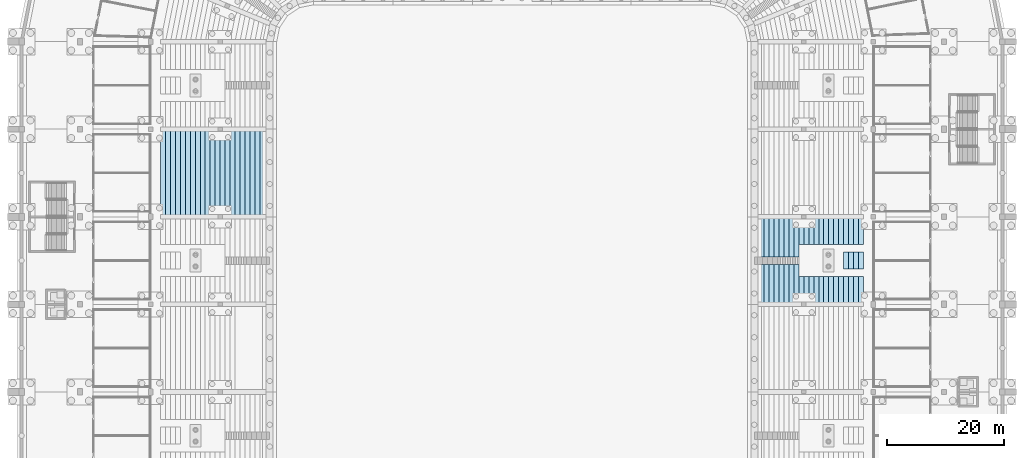
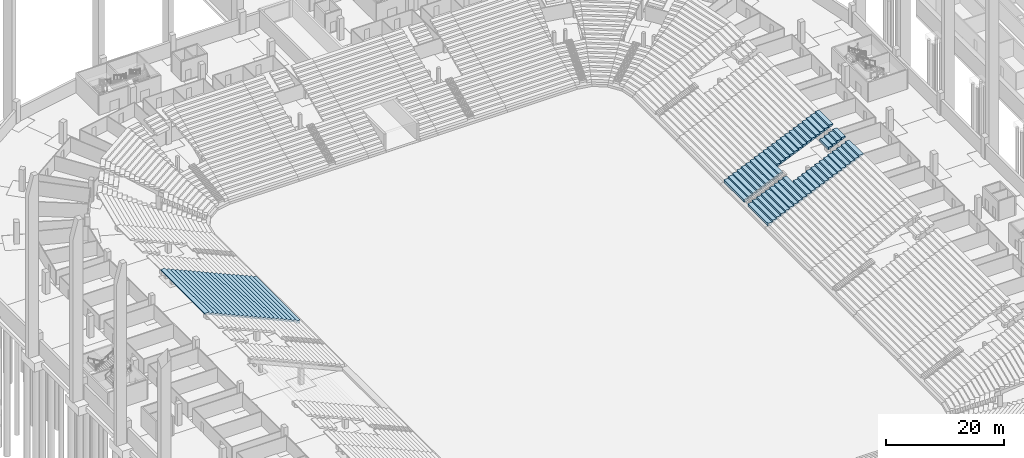
# One storey, part 52 of 115: 2 slabs.
"""IFC4 building model written with IfcOpenShell, lengths in metres."""

from ifc_helpers import new_model, si_unit, direction, frame, origin, place, context, subcontext, project, spatial, faceted_brep, material, layer, layer_set, type_object, element, save


model = new_model("IFC4")

# Units and contexts
model_context = context("Model", 3, precision=1e-05, world=origin(), true_north=direction((0.0, 1.0)))
body_context = subcontext(model_context, "Body", "Model", "MODEL_VIEW")
ifc_project = project(units=[si_unit("LENGTHUNIT", "METRE"), si_unit("AREAUNIT", "SQUARE_METRE"), si_unit("VOLUMEUNIT", "CUBIC_METRE"), si_unit("PLANEANGLEUNIT", "RADIAN"), si_unit("MASSUNIT", "GRAM", prefix="KILO")], contexts=[model_context])

# Site, building, storey
site_placement = place(None, origin())
site = spatial("IfcSite", under=ifc_project, at=site_placement, CompositionType="ELEMENT")
building_placement = place(site_placement, origin())
building = spatial("IfcBuilding", under=site, at=building_placement, Name="Ogive Plaza Stadium", CompositionType="ELEMENT")
storey_placement = place(building_placement, frame((0.0, 0.0, -4.5)))
storey = spatial("IfcBuildingStorey", under=building, at=storey_placement, Name="B1", CompositionType="ELEMENT", Elevation=-4.5)

# Slabs
ifc_material = material(Name="Concrete C45/55 precast", Category="concrete")
ifc_layer = layer(ifc_material, 0.574951171875)
ifc_layer_set = layer_set([ifc_layer], Name="Concrete C45/55 precast")
slab_type = type_object("IfcSlabType", Name="Seating tier LT 575", PredefinedType="USERDEFINED", material=ifc_layer_set)
slab_1_placement = place(storey_placement, origin())
element("IfcSlab", 1, at=slab_1_placement, inside=storey, type_object=slab_type, Name="Stand LT B03", ObjectType="SEATING TIER", PredefinedType="USERDEFINED", context=body_context, shape_type="Brep", body=[
    faceted_brep([(41.5, 15.64990234375, 1.125), (42.10009765625, 15.64990234375, 1.125), (42.10009765625, 22.5, 1.125), (41.5, 22.5, 1.125), (41.5, 7.5, 1.125), (42.10009765625, 7.5, 1.125), (42.10009765625, 14.35009765625, 1.125), (41.5, 14.35009765625, 1.125), (42.35009765625, 15.64990234375, 1.125), (42.35009765625, 22.5, 1.125), (42.35009765625, 7.5, 1.125), (42.35009765625, 14.35009765625, 1.125), (42.10009765625, 15.64990234375, 0.550048828125), (41.5, 22.5, 0.550048828125), (42.10009765625, 22.5, 0.550048828125), (41.5, 15.64990234375, 0.550048828125), (42.10009765625, 7.5, 0.550048828125), (41.5, 14.35009765625, 0.550048828125), (42.10009765625, 14.35009765625, 0.550048828125), (41.5, 7.5, 0.550048828125), (42.35009765625, 22.5, 0.925048828125), (42.35009765625, 22.5, 1.5), (43.199951171875, 22.5, 1.5), (43.199951171875, 22.5, 1.300048828125), (43.199951171875, 22.5, 1.875), (44.050048828125, 22.5, 1.875), (44.050048828125, 22.5, 1.675048828125), (44.050048828125, 22.5, 2.25), (44.89990234375, 22.5, 2.25), (44.89990234375, 22.5, 2.050048828125), (44.89990234375, 22.5, 2.625), (45.75, 22.5, 2.625), (45.75, 22.5, 2.425048828125), (45.75, 22.5, 3.0), (46.60009765625, 22.5, 3.0), (46.60009765625, 22.5, 2.800048828125), (46.60009765625, 22.5, 3.375), (47.449951171875, 22.5, 3.375), (47.449951171875, 22.5, 3.175048828125), (47.449951171875, 22.5, 3.75), (48.300048828125, 22.5, 3.75), (48.300048828125, 22.5, 3.550048828125), (48.300048828125, 22.5, 4.125), (49.14990234375, 22.5, 4.125), (49.14990234375, 22.5, 3.925048828125), (49.14990234375, 22.5, 4.5), (50.0, 22.5, 4.5), (50.0, 22.5, 4.300048828125), (50.0, 22.5, 4.875), (50.85009765625, 22.5, 4.875), (50.85009765625, 22.5, 4.675048828125), (50.85009765625, 22.5, 5.25), (51.699951171875, 22.5, 5.25), (51.699951171875, 22.5, 5.050048828125), (51.699951171875, 22.5, 5.625), (52.550048828125, 22.5, 5.625), (52.550048828125, 22.5, 5.425048828125), (52.550048828125, 22.5, 6.0), (53.39990234375, 22.5, 6.0), (53.39990234375, 22.5, 5.800048828125), (53.39990234375, 22.5, 6.375), (54.25, 22.5, 6.375), (54.25, 22.5, 6.175048828125), (54.25, 22.5, 6.75), (55.10009765625, 22.5, 6.75), (55.10009765625, 22.5, 6.550048828125), (55.10009765625, 22.5, 7.125), (55.949951171875, 22.5, 7.125), (55.949951171875, 22.5, 6.925048828125), (55.949951171875, 22.5, 7.5), (56.800048828125, 22.5, 7.5), (56.800048828125, 22.5, 7.300048828125), (56.800048828125, 22.5, 7.875), (57.64990234375, 22.5, 7.875), (57.64990234375, 22.5, 7.675048828125), (57.64990234375, 22.5, 8.25), (58.5, 22.5, 8.25), (58.5, 22.5, 8.050048828125), (58.5, 22.5, 8.625), (59.35009765625, 22.5, 8.625), (59.35009765625, 22.5, 8.425048828125), (59.35009765625, 22.5, 9.0), (60.199951171875, 22.5, 9.0), (60.199951171875, 22.5, 8.800048828125), (42.35009765625, 15.64990234375, 0.925048828125), (43.199951171875, 15.64990234375, 1.5), (42.35009765625, 15.64990234375, 1.5), (43.199951171875, 15.64990234375, 1.300048828125), (44.050048828125, 15.64990234375, 1.875), (43.199951171875, 15.64990234375, 1.875), (44.050048828125, 15.64990234375, 1.675048828125), (44.89990234375, 15.64990234375, 2.25), (44.050048828125, 15.64990234375, 2.25), (44.89990234375, 15.64990234375, 2.050048828125), (45.75, 15.64990234375, 2.625), (44.89990234375, 15.64990234375, 2.625), (45.75, 15.64990234375, 2.425048828125), (46.60009765625, 15.64990234375, 3.0), (45.75, 15.64990234375, 3.0), (46.60009765625, 15.64990234375, 2.800048828125), (47.449951171875, 15.64990234375, 3.375), (46.60009765625, 15.64990234375, 3.375), (47.449951171875, 15.64990234375, 3.175048828125), (48.300048828125, 15.64990234375, 3.75), (47.449951171875, 15.64990234375, 3.75), (48.300048828125, 15.64990234375, 3.550048828125), (49.14990234375, 15.64990234375, 4.125), (48.300048828125, 15.64990234375, 4.125), (49.14990234375, 15.64990234375, 3.925048828125), (42.35009765625, 14.35009765625, 0.925048828125), (42.35009765625, 14.35009765625, 1.5), (43.199951171875, 14.35009765625, 1.5), (43.199951171875, 14.35009765625, 1.300048828125), (43.199951171875, 14.35009765625, 1.875), (44.050048828125, 14.35009765625, 1.875), (44.050048828125, 14.35009765625, 1.675048828125), (44.050048828125, 14.35009765625, 2.25), (44.89990234375, 14.35009765625, 2.25), (44.89990234375, 14.35009765625, 2.050048828125), (44.89990234375, 14.35009765625, 2.625), (45.75, 14.35009765625, 2.625), (45.75, 14.35009765625, 2.425048828125), (45.75, 14.35009765625, 3.0), (46.60009765625, 14.35009765625, 3.0), (46.60009765625, 14.35009765625, 2.800048828125), (46.60009765625, 14.35009765625, 3.375), (47.449951171875, 14.35009765625, 3.375), (47.449951171875, 14.35009765625, 3.175048828125), (47.449951171875, 14.35009765625, 3.75), (48.300048828125, 14.35009765625, 3.75), (48.300048828125, 14.35009765625, 3.550048828125), (48.300048828125, 14.35009765625, 4.125), (49.14990234375, 14.35009765625, 4.125), (49.14990234375, 14.35009765625, 3.925048828125), (42.35009765625, 7.5, 0.925048828125), (43.199951171875, 7.5, 1.5), (42.35009765625, 7.5, 1.5), (43.199951171875, 7.5, 1.300048828125), (44.050048828125, 7.5, 1.875), (43.199951171875, 7.5, 1.875), (44.050048828125, 7.5, 1.675048828125), (44.89990234375, 7.5, 2.25), (44.050048828125, 7.5, 2.25), (44.89990234375, 7.5, 2.050048828125), (45.75, 7.5, 2.625), (44.89990234375, 7.5, 2.625), (45.75, 7.5, 2.425048828125), (46.60009765625, 7.5, 3.0), (45.75, 7.5, 3.0), (46.60009765625, 7.5, 2.800048828125), (47.449951171875, 7.5, 3.375), (46.60009765625, 7.5, 3.375), (47.449951171875, 7.5, 3.175048828125), (48.300048828125, 7.5, 3.75), (47.449951171875, 7.5, 3.75), (48.300048828125, 7.5, 3.550048828125), (49.14990234375, 7.5, 4.125), (48.300048828125, 7.5, 4.125), (49.14990234375, 7.5, 3.925048828125), (50.0, 7.5, 4.5), (49.14990234375, 7.5, 4.5), (50.0, 7.5, 4.300048828125), (50.85009765625, 7.5, 4.875), (50.0, 7.5, 4.875), (50.85009765625, 7.5, 4.675048828125), (51.699951171875, 7.5, 5.25), (50.85009765625, 7.5, 5.25), (51.699951171875, 7.5, 5.050048828125), (52.550048828125, 7.5, 5.625), (51.699951171875, 7.5, 5.625), (52.550048828125, 7.5, 5.425048828125), (53.39990234375, 7.5, 6.0), (52.550048828125, 7.5, 6.0), (53.39990234375, 7.5, 5.800048828125), (54.25, 7.5, 6.375), (53.39990234375, 7.5, 6.375), (54.25, 7.5, 6.175048828125), (55.10009765625, 7.5, 6.75), (54.25, 7.5, 6.75), (55.10009765625, 7.5, 6.550048828125), (55.949951171875, 7.5, 7.125), (55.10009765625, 7.5, 7.125), (55.949951171875, 7.5, 6.925048828125), (56.800048828125, 7.5, 7.5), (55.949951171875, 7.5, 7.5), (56.800048828125, 7.5, 7.300048828125), (57.64990234375, 7.5, 7.875), (56.800048828125, 7.5, 7.875), (57.64990234375, 7.5, 7.675048828125), (58.5, 7.5, 8.25), (57.64990234375, 7.5, 8.25), (58.5, 7.5, 8.050048828125), (59.35009765625, 7.5, 8.625), (58.5, 7.5, 8.625), (59.35009765625, 7.5, 8.425048828125), (60.199951171875, 7.5, 9.0), (59.35009765625, 7.5, 9.0), (60.199951171875, 7.5, 8.800048828125), (49.14990234375, 17.75, 3.925048828125), (49.14990234375, 12.25, 3.925048828125), (50.0, 17.75, 4.300048828125), (50.0, 12.25, 4.300048828125), (50.85009765625, 17.75, 4.675048828125), (50.85009765625, 12.25, 4.675048828125), (51.699951171875, 17.75, 5.050048828125), (51.699951171875, 12.25, 5.050048828125), (52.550048828125, 17.75, 5.425048828125), (52.550048828125, 12.25, 5.425048828125), (53.39990234375, 17.75, 5.800048828125), (53.39990234375, 12.25, 5.800048828125), (54.25, 17.75, 6.175048828125), (54.25, 12.25, 6.175048828125), (55.10009765625, 17.75, 6.550048828125), (55.10009765625, 12.25, 6.550048828125), (55.949951171875, 17.75, 6.925048828125), (55.949951171875, 12.25, 6.925048828125), (56.800048828125, 17.75, 7.300048828125), (56.800048828125, 12.25, 7.300048828125), (57.64990234375, 17.75, 7.675048828125), (57.64990234375, 13.550048828125, 7.675048828125), (56.800048828125, 16.449951171875, 7.300048828125), (57.64990234375, 16.449951171875, 7.675048828125), (56.800048828125, 13.550048828125, 7.300048828125), (57.64990234375, 12.25, 7.675048828125), (49.14990234375, 17.75, 4.125), (49.14990234375, 12.25, 4.125), (49.14990234375, 17.75, 4.5), (49.14990234375, 12.25, 4.5), (50.0, 17.75, 4.5), (50.0, 12.25, 4.5), (50.0, 17.75, 4.875), (50.0, 12.25, 4.875), (50.85009765625, 17.75, 4.875), (51.699951171875, 17.75, 5.25), (50.85009765625, 17.75, 5.25), (52.550048828125, 17.75, 5.625), (51.699951171875, 17.75, 5.625), (53.39990234375, 17.75, 6.0), (52.550048828125, 17.75, 6.0), (54.25, 17.75, 6.375), (53.39990234375, 17.75, 6.375), (55.10009765625, 17.75, 6.75), (54.25, 17.75, 6.75), (55.949951171875, 17.75, 7.125), (55.10009765625, 17.75, 7.125), (56.800048828125, 17.75, 7.5), (55.949951171875, 17.75, 7.5), (57.64990234375, 17.75, 7.875), (56.800048828125, 17.75, 7.875), (58.5, 17.75, 8.25), (57.64990234375, 17.75, 8.25), (58.5, 17.75, 8.050048828125), (59.35009765625, 17.75, 8.625), (58.5, 17.75, 8.625), (59.35009765625, 17.75, 8.425048828125), (60.199951171875, 17.75, 9.0), (59.35009765625, 17.75, 9.0), (60.199951171875, 17.75, 8.800048828125), (50.85009765625, 12.25, 4.875), (50.85009765625, 12.25, 5.25), (51.699951171875, 12.25, 5.25), (51.699951171875, 12.25, 5.625), (52.550048828125, 12.25, 5.625), (52.550048828125, 12.25, 6.0), (53.39990234375, 12.25, 6.0), (53.39990234375, 12.25, 6.375), (54.25, 12.25, 6.375), (54.25, 12.25, 6.75), (55.10009765625, 12.25, 6.75), (55.10009765625, 12.25, 7.125), (55.949951171875, 12.25, 7.125), (55.949951171875, 12.25, 7.5), (56.800048828125, 12.25, 7.5), (56.800048828125, 12.25, 7.875), (57.64990234375, 12.25, 7.875), (57.64990234375, 12.25, 8.25), (58.5, 12.25, 8.25), (58.5, 12.25, 8.050048828125), (58.5, 12.25, 8.625), (59.35009765625, 12.25, 8.625), (59.35009765625, 12.25, 8.425048828125), (59.35009765625, 12.25, 9.0), (60.199951171875, 12.25, 9.0), (60.199951171875, 12.25, 8.800048828125), (56.800048828125, 16.449951171875, 7.875), (56.800048828125, 13.550048828125, 7.875), (57.64990234375, 13.550048828125, 7.875), (57.64990234375, 16.449951171875, 7.875), (57.64990234375, 13.550048828125, 8.25), (57.64990234375, 16.449951171875, 8.25), (58.5, 16.449951171875, 8.25), (58.5, 16.449951171875, 8.050048828125), (58.5, 16.449951171875, 8.625), (59.35009765625, 16.449951171875, 8.625), (59.35009765625, 16.449951171875, 8.425048828125), (59.35009765625, 16.449951171875, 9.0), (60.199951171875, 16.449951171875, 9.0), (60.199951171875, 16.449951171875, 8.800048828125), (58.5, 13.550048828125, 8.25), (58.5, 13.550048828125, 8.050048828125), (59.35009765625, 13.550048828125, 8.625), (58.5, 13.550048828125, 8.625), (59.35009765625, 13.550048828125, 8.425048828125), (60.199951171875, 13.550048828125, 9.0), (59.35009765625, 13.550048828125, 9.0), (60.199951171875, 13.550048828125, 8.800048828125)], [[[0, 1, 2]], [[2, 3, 0]], [[4, 5, 6]], [[6, 7, 4]], [[1, 8, 9]], [[9, 2, 1]], [[5, 10, 11]], [[11, 6, 5]], [[12, 13, 14]], [[12, 15, 13]], [[16, 17, 18]], [[16, 19, 17]], [[2, 14, 13]], [[13, 3, 2]], [[20, 14, 2]], [[20, 2, 9]], [[9, 21, 22]], [[22, 23, 20]], [[20, 9, 22]], [[22, 24, 25]], [[25, 26, 23]], [[23, 22, 25]], [[25, 27, 28]], [[28, 29, 26]], [[26, 25, 28]], [[28, 30, 31]], [[31, 32, 29]], [[29, 28, 31]], [[31, 33, 34]], [[34, 35, 32]], [[32, 31, 34]], [[34, 36, 37]], [[37, 38, 35]], [[35, 34, 37]], [[37, 39, 40]], [[40, 41, 38]], [[38, 37, 40]], [[40, 42, 43]], [[43, 44, 41]], [[41, 40, 43]], [[43, 45, 46]], [[46, 47, 44]], [[44, 43, 46]], [[46, 48, 49]], [[49, 50, 47]], [[47, 46, 49]], [[49, 51, 52]], [[52, 53, 50]], [[50, 49, 52]], [[52, 54, 55]], [[55, 56, 53]], [[53, 52, 55]], [[55, 57, 58]], [[58, 59, 56]], [[56, 55, 58]], [[58, 60, 61]], [[61, 62, 59]], [[59, 58, 61]], [[61, 63, 64]], [[64, 65, 62]], [[62, 61, 64]], [[64, 66, 67]], [[67, 68, 65]], [[65, 64, 67]], [[67, 69, 70]], [[70, 71, 68]], [[68, 67, 70]], [[70, 72, 73]], [[73, 74, 71]], [[71, 70, 73]], [[73, 75, 76]], [[76, 77, 74]], [[74, 73, 76]], [[76, 78, 79]], [[79, 80, 77]], [[77, 76, 79]], [[79, 81, 82]], [[82, 83, 80]], [[80, 79, 82]], [[3, 13, 15]], [[15, 0, 3]], [[7, 17, 19]], [[19, 4, 7]], [[0, 15, 12]], [[12, 1, 0]], [[1, 12, 84]], [[84, 8, 1]], [[85, 86, 8]], [[8, 84, 87]], [[87, 85, 8]], [[88, 89, 85]], [[85, 87, 90]], [[90, 88, 85]], [[91, 92, 88]], [[88, 90, 93]], [[93, 91, 88]], [[94, 95, 91]], [[91, 93, 96]], [[96, 94, 91]], [[97, 98, 94]], [[94, 96, 99]], [[99, 97, 94]], [[100, 101, 97]], [[97, 99, 102]], [[102, 100, 97]], [[103, 104, 100]], [[100, 102, 105]], [[105, 103, 100]], [[106, 107, 103]], [[103, 105, 108]], [[108, 106, 103]], [[6, 18, 17]], [[17, 7, 6]], [[109, 18, 6]], [[109, 6, 11]], [[11, 110, 111]], [[111, 112, 109]], [[109, 11, 111]], [[111, 113, 114]], [[114, 115, 112]], [[112, 111, 114]], [[114, 116, 117]], [[117, 118, 115]], [[115, 114, 117]], [[117, 119, 120]], [[120, 121, 118]], [[118, 117, 120]], [[120, 122, 123]], [[123, 124, 121]], [[121, 120, 123]], [[123, 125, 126]], [[126, 127, 124]], [[124, 123, 126]], [[126, 128, 129]], [[129, 130, 127]], [[127, 126, 129]], [[129, 131, 132]], [[132, 133, 130]], [[130, 129, 132]], [[4, 19, 16]], [[16, 5, 4]], [[5, 16, 134]], [[134, 10, 5]], [[135, 136, 10]], [[10, 134, 137]], [[137, 135, 10]], [[138, 139, 135]], [[135, 137, 140]], [[140, 138, 135]], [[141, 142, 138]], [[138, 140, 143]], [[143, 141, 138]], [[144, 145, 141]], [[141, 143, 146]], [[146, 144, 141]], [[147, 148, 144]], [[144, 146, 149]], [[149, 147, 144]], [[150, 151, 147]], [[147, 149, 152]], [[152, 150, 147]], [[153, 154, 150]], [[150, 152, 155]], [[155, 153, 150]], [[156, 157, 153]], [[153, 155, 158]], [[158, 156, 153]], [[159, 160, 156]], [[156, 158, 161]], [[161, 159, 156]], [[162, 163, 159]], [[159, 161, 164]], [[164, 162, 159]], [[165, 166, 162]], [[162, 164, 167]], [[167, 165, 162]], [[168, 169, 165]], [[165, 167, 170]], [[170, 168, 165]], [[171, 172, 168]], [[168, 170, 173]], [[173, 171, 168]], [[174, 175, 171]], [[171, 173, 176]], [[176, 174, 171]], [[177, 178, 174]], [[174, 176, 179]], [[179, 177, 174]], [[180, 181, 177]], [[177, 179, 182]], [[182, 180, 177]], [[183, 184, 180]], [[180, 182, 185]], [[185, 183, 180]], [[186, 187, 183]], [[183, 185, 188]], [[188, 186, 183]], [[189, 190, 186]], [[186, 188, 191]], [[191, 189, 186]], [[192, 193, 189]], [[189, 191, 194]], [[194, 192, 189]], [[195, 196, 192]], [[192, 194, 197]], [[197, 195, 192]], [[84, 14, 20]], [[84, 12, 14]], [[134, 18, 109]], [[134, 16, 18]], [[8, 86, 21]], [[21, 9, 8]], [[10, 136, 110]], [[110, 11, 10]], [[86, 85, 22]], [[22, 21, 86]], [[136, 135, 111]], [[111, 110, 136]], [[87, 20, 23]], [[87, 84, 20]], [[137, 109, 112]], [[137, 134, 109]], [[90, 23, 26]], [[90, 87, 23]], [[140, 112, 115]], [[140, 137, 112]], [[93, 26, 29]], [[93, 90, 26]], [[143, 115, 118]], [[143, 140, 115]], [[96, 29, 32]], [[96, 93, 29]], [[146, 118, 121]], [[146, 143, 118]], [[99, 32, 35]], [[99, 96, 32]], [[149, 121, 124]], [[149, 146, 121]], [[102, 35, 38]], [[102, 99, 35]], [[152, 124, 127]], [[152, 149, 124]], [[105, 38, 41]], [[105, 102, 38]], [[155, 127, 130]], [[155, 152, 127]], [[41, 44, 198]], [[108, 41, 198]], [[108, 105, 41]], [[199, 158, 130]], [[130, 133, 199]], [[158, 155, 130]], [[200, 44, 47]], [[200, 198, 44]], [[161, 199, 201]], [[161, 158, 199]], [[202, 47, 50]], [[202, 200, 47]], [[164, 201, 203]], [[164, 161, 201]], [[204, 50, 53]], [[204, 202, 50]], [[167, 203, 205]], [[167, 164, 203]], [[206, 53, 56]], [[206, 204, 53]], [[170, 205, 207]], [[170, 167, 205]], [[208, 56, 59]], [[208, 206, 56]], [[173, 207, 209]], [[173, 170, 207]], [[210, 59, 62]], [[210, 208, 59]], [[176, 209, 211]], [[176, 173, 209]], [[212, 62, 65]], [[212, 210, 62]], [[179, 211, 213]], [[179, 176, 211]], [[214, 65, 68]], [[214, 212, 65]], [[182, 213, 215]], [[182, 179, 213]], [[216, 68, 71]], [[216, 214, 68]], [[185, 215, 217]], [[185, 182, 215]], [[218, 71, 74]], [[218, 216, 71]], [[219, 220, 221]], [[219, 222, 220]], [[188, 217, 223]], [[188, 185, 217]], [[85, 89, 24]], [[24, 22, 85]], [[135, 139, 113]], [[113, 111, 135]], [[89, 88, 25]], [[25, 24, 89]], [[139, 138, 114]], [[114, 113, 139]], [[88, 92, 27]], [[27, 25, 88]], [[138, 142, 116]], [[116, 114, 138]], [[92, 91, 28]], [[28, 27, 92]], [[142, 141, 117]], [[117, 116, 142]], [[91, 95, 30]], [[30, 28, 91]], [[141, 145, 119]], [[119, 117, 141]], [[95, 94, 31]], [[31, 30, 95]], [[145, 144, 120]], [[120, 119, 145]], [[94, 98, 33]], [[33, 31, 94]], [[144, 148, 122]], [[122, 120, 144]], [[98, 97, 34]], [[34, 33, 98]], [[148, 147, 123]], [[123, 122, 148]], [[97, 101, 36]], [[36, 34, 97]], [[147, 151, 125]], [[125, 123, 147]], [[101, 100, 37]], [[37, 36, 101]], [[151, 150, 126]], [[126, 125, 151]], [[100, 104, 39]], [[39, 37, 100]], [[150, 154, 128]], [[128, 126, 150]], [[104, 103, 40]], [[40, 39, 104]], [[154, 153, 129]], [[129, 128, 154]], [[103, 107, 42]], [[42, 40, 103]], [[153, 157, 131]], [[131, 129, 153]], [[43, 42, 107]], [[224, 43, 107]], [[106, 224, 107]], [[132, 131, 157]], [[157, 156, 225]], [[225, 132, 157]], [[106, 108, 198]], [[198, 224, 106]], [[225, 199, 133]], [[225, 133, 132]], [[45, 43, 224]], [[226, 45, 224]], [[227, 225, 156]], [[160, 227, 156]], [[226, 228, 46]], [[46, 45, 226]], [[160, 159, 229]], [[229, 227, 160]], [[228, 230, 48]], [[48, 46, 228]], [[159, 163, 231]], [[231, 229, 159]], [[228, 226, 224]], [[224, 198, 200]], [[200, 228, 224]], [[232, 230, 228]], [[228, 200, 202]], [[202, 232, 228]], [[233, 234, 232]], [[232, 202, 204]], [[204, 233, 232]], [[235, 236, 233]], [[233, 204, 206]], [[206, 235, 233]], [[237, 238, 235]], [[235, 206, 208]], [[208, 237, 235]], [[239, 240, 237]], [[237, 208, 210]], [[210, 239, 237]], [[241, 242, 239]], [[239, 210, 212]], [[212, 241, 239]], [[243, 244, 241]], [[241, 212, 214]], [[214, 243, 241]], [[245, 246, 243]], [[243, 214, 216]], [[216, 245, 243]], [[247, 248, 245]], [[245, 216, 218]], [[218, 247, 245]], [[249, 250, 247]], [[247, 218, 251]], [[251, 249, 247]], [[252, 253, 249]], [[249, 251, 254]], [[254, 252, 249]], [[255, 256, 252]], [[252, 254, 257]], [[257, 255, 252]], [[225, 227, 229]], [[229, 201, 199]], [[199, 225, 229]], [[229, 231, 258]], [[258, 203, 201]], [[201, 229, 258]], [[258, 259, 260]], [[260, 205, 203]], [[203, 258, 260]], [[260, 261, 262]], [[262, 207, 205]], [[205, 260, 262]], [[262, 263, 264]], [[264, 209, 207]], [[207, 262, 264]], [[264, 265, 266]], [[266, 211, 209]], [[209, 264, 266]], [[266, 267, 268]], [[268, 213, 211]], [[211, 266, 268]], [[268, 269, 270]], [[270, 215, 213]], [[213, 268, 270]], [[270, 271, 272]], [[272, 217, 215]], [[215, 270, 272]], [[272, 273, 274]], [[274, 223, 217]], [[217, 272, 274]], [[274, 275, 276]], [[276, 277, 223]], [[223, 274, 276]], [[276, 278, 279]], [[279, 280, 277]], [[277, 276, 279]], [[279, 281, 282]], [[282, 283, 280]], [[280, 279, 282]], [[230, 232, 49]], [[49, 48, 230]], [[163, 162, 258]], [[258, 231, 163]], [[232, 234, 51]], [[51, 49, 232]], [[162, 166, 259]], [[259, 258, 162]], [[234, 233, 52]], [[52, 51, 234]], [[166, 165, 260]], [[260, 259, 166]], [[233, 236, 54]], [[54, 52, 233]], [[165, 169, 261]], [[261, 260, 165]], [[236, 235, 55]], [[55, 54, 236]], [[169, 168, 262]], [[262, 261, 169]], [[235, 238, 57]], [[57, 55, 235]], [[168, 172, 263]], [[263, 262, 168]], [[238, 237, 58]], [[58, 57, 238]], [[172, 171, 264]], [[264, 263, 172]], [[237, 240, 60]], [[60, 58, 237]], [[171, 175, 265]], [[265, 264, 171]], [[240, 239, 61]], [[61, 60, 240]], [[175, 174, 266]], [[266, 265, 175]], [[239, 242, 63]], [[63, 61, 239]], [[174, 178, 267]], [[267, 266, 174]], [[242, 241, 64]], [[64, 63, 242]], [[178, 177, 268]], [[268, 267, 178]], [[241, 244, 66]], [[66, 64, 241]], [[177, 181, 269]], [[269, 268, 177]], [[244, 243, 67]], [[67, 66, 244]], [[181, 180, 270]], [[270, 269, 181]], [[243, 246, 69]], [[69, 67, 243]], [[180, 184, 271]], [[271, 270, 180]], [[246, 245, 70]], [[70, 69, 246]], [[184, 183, 272]], [[272, 271, 184]], [[245, 248, 72]], [[72, 70, 245]], [[284, 220, 222]], [[222, 285, 284]], [[183, 187, 273]], [[273, 272, 183]], [[248, 247, 73]], [[73, 72, 248]], [[285, 286, 287]], [[287, 284, 285]], [[187, 186, 274]], [[274, 273, 187]], [[247, 250, 75]], [[75, 73, 247]], [[286, 288, 289]], [[289, 287, 286]], [[186, 190, 275]], [[275, 274, 186]], [[221, 220, 284]], [[221, 284, 287]], [[287, 289, 290]], [[290, 291, 221]], [[221, 287, 290]], [[290, 292, 293]], [[293, 294, 291]], [[291, 290, 293]], [[293, 295, 296]], [[296, 297, 294]], [[294, 293, 296]], [[285, 222, 219]], [[219, 286, 285]], [[298, 288, 286]], [[286, 219, 299]], [[299, 298, 286]], [[300, 301, 298]], [[298, 299, 302]], [[302, 300, 298]], [[303, 304, 300]], [[300, 302, 305]], [[305, 303, 300]], [[250, 249, 76]], [[76, 75, 250]], [[288, 298, 290]], [[290, 289, 288]], [[190, 189, 276]], [[276, 275, 190]], [[251, 74, 77]], [[251, 218, 74]], [[299, 221, 291]], [[299, 219, 221]], [[191, 223, 277]], [[191, 188, 223]], [[254, 77, 80]], [[254, 251, 77]], [[302, 291, 294]], [[302, 299, 291]], [[194, 277, 280]], [[194, 191, 277]], [[257, 80, 83]], [[257, 254, 80]], [[305, 294, 297]], [[305, 302, 294]], [[197, 280, 283]], [[197, 194, 280]], [[249, 253, 78]], [[78, 76, 249]], [[298, 301, 292]], [[292, 290, 298]], [[189, 193, 278]], [[278, 276, 189]], [[253, 252, 79]], [[79, 78, 253]], [[301, 300, 293]], [[293, 292, 301]], [[193, 192, 279]], [[279, 278, 193]], [[252, 256, 81]], [[81, 79, 252]], [[300, 304, 295]], [[295, 293, 300]], [[192, 196, 281]], [[281, 279, 192]], [[256, 255, 82]], [[82, 81, 256]], [[304, 303, 296]], [[296, 295, 304]], [[196, 195, 282]], [[282, 281, 196]], [[255, 257, 83]], [[83, 82, 255]], [[303, 305, 297]], [[297, 296, 303]], [[195, 197, 283]], [[283, 282, 195]]]),
])
slab_2_placement = place(storey_placement, origin())
element("IfcSlab", 2, at=slab_2_placement, inside=storey, type_object=slab_type, Name="Stand LT B26", ObjectType="SEATING TIER", PredefinedType="USERDEFINED", context=body_context, shape_type="Brep", body=[
    faceted_brep([(-41.5, 37.5, 1.125), (-42.10009765625, 37.5, 1.125), (-42.10009765625, 22.5, 1.125), (-41.5, 22.5, 1.125), (-42.35009765625, 37.5, 1.125), (-42.35009765625, 22.5, 1.125), (-42.10009765625, 37.5, 0.550048828125), (-41.5, 22.5, 0.550048828125), (-42.10009765625, 22.5, 0.550048828125), (-41.5, 37.5, 0.550048828125), (-42.35009765625, 22.5, 0.925048828125), (-42.35009765625, 22.5, 1.5), (-43.199951171875, 22.5, 1.5), (-43.199951171875, 22.5, 1.300048828125), (-43.199951171875, 22.5, 1.875), (-44.050048828125, 22.5, 1.875), (-44.050048828125, 22.5, 1.675048828125), (-44.050048828125, 22.5, 2.25), (-44.89990234375, 22.5, 2.25), (-44.89990234375, 22.5, 2.050048828125), (-44.89990234375, 22.5, 2.625), (-45.75, 22.5, 2.625), (-45.75, 22.5, 2.425048828125), (-45.75, 22.5, 3.0), (-46.60009765625, 22.5, 3.0), (-46.60009765625, 22.5, 2.800048828125), (-46.60009765625, 22.5, 3.375), (-47.449951171875, 22.5, 3.375), (-47.449951171875, 22.5, 3.175048828125), (-47.449951171875, 22.5, 3.75), (-48.300048828125, 22.5, 3.75), (-48.300048828125, 22.5, 3.550048828125), (-48.300048828125, 22.5, 4.125), (-49.14990234375, 22.5, 4.125), (-49.14990234375, 22.5, 3.925048828125), (-49.14990234375, 22.5, 4.5), (-50.0, 22.5, 4.5), (-50.0, 22.5, 4.300048828125), (-50.0, 22.5, 4.875), (-50.85009765625, 22.5, 4.875), (-50.85009765625, 22.5, 4.675048828125), (-50.85009765625, 22.5, 5.25), (-51.699951171875, 22.5, 5.25), (-51.699951171875, 22.5, 5.050048828125), (-51.699951171875, 22.5, 5.625), (-52.550048828125, 22.5, 5.625), (-52.550048828125, 22.5, 5.425048828125), (-52.550048828125, 22.5, 6.0), (-53.39990234375, 22.5, 6.0), (-53.39990234375, 22.5, 5.800048828125), (-53.39990234375, 22.5, 6.375), (-54.25, 22.5, 6.375), (-54.25, 22.5, 6.175048828125), (-54.25, 22.5, 6.75), (-55.10009765625, 22.5, 6.75), (-55.10009765625, 22.5, 6.550048828125), (-55.10009765625, 22.5, 7.125), (-55.949951171875, 22.5, 7.125), (-55.949951171875, 22.5, 6.925048828125), (-55.949951171875, 22.5, 7.5), (-56.800048828125, 22.5, 7.5), (-56.800048828125, 22.5, 7.300048828125), (-56.800048828125, 22.5, 7.875), (-57.64990234375, 22.5, 7.875), (-57.64990234375, 22.5, 7.675048828125), (-57.64990234375, 22.5, 8.25), (-58.5, 22.5, 8.25), (-58.5, 22.5, 8.050048828125), (-58.5, 22.5, 8.625), (-59.35009765625, 22.5, 8.625), (-59.35009765625, 22.5, 8.425048828125), (-59.35009765625, 22.5, 9.0), (-60.199951171875, 22.5, 9.0), (-60.199951171875, 22.5, 8.800048828125), (-42.35009765625, 37.5, 0.925048828125), (-43.199951171875, 37.5, 1.5), (-42.35009765625, 37.5, 1.5), (-43.199951171875, 37.5, 1.300048828125), (-44.050048828125, 37.5, 1.875), (-43.199951171875, 37.5, 1.875), (-44.050048828125, 37.5, 1.675048828125), (-44.89990234375, 37.5, 2.25), (-44.050048828125, 37.5, 2.25), (-44.89990234375, 37.5, 2.050048828125), (-45.75, 37.5, 2.625), (-44.89990234375, 37.5, 2.625), (-45.75, 37.5, 2.425048828125), (-46.60009765625, 37.5, 3.0), (-45.75, 37.5, 3.0), (-46.60009765625, 37.5, 2.800048828125), (-47.449951171875, 37.5, 3.375), (-46.60009765625, 37.5, 3.375), (-47.449951171875, 37.5, 3.175048828125), (-48.300048828125, 37.5, 3.75), (-47.449951171875, 37.5, 3.75), (-48.300048828125, 37.5, 3.550048828125), (-49.14990234375, 37.5, 4.125), (-48.300048828125, 37.5, 4.125), (-49.14990234375, 37.5, 3.925048828125), (-50.0, 37.5, 4.5), (-49.14990234375, 37.5, 4.5), (-50.0, 37.5, 4.300048828125), (-50.85009765625, 37.5, 4.875), (-50.0, 37.5, 4.875), (-50.85009765625, 37.5, 4.675048828125), (-51.699951171875, 37.5, 5.25), (-50.85009765625, 37.5, 5.25), (-51.699951171875, 37.5, 5.050048828125), (-52.550048828125, 37.5, 5.625), (-51.699951171875, 37.5, 5.625), (-52.550048828125, 37.5, 5.425048828125), (-53.39990234375, 37.5, 6.0), (-52.550048828125, 37.5, 6.0), (-53.39990234375, 37.5, 5.800048828125), (-54.25, 37.5, 6.375), (-53.39990234375, 37.5, 6.375), (-54.25, 37.5, 6.175048828125), (-55.10009765625, 37.5, 6.75), (-54.25, 37.5, 6.75), (-55.10009765625, 37.5, 6.550048828125), (-55.949951171875, 37.5, 7.125), (-55.10009765625, 37.5, 7.125), (-55.949951171875, 37.5, 6.925048828125), (-56.800048828125, 37.5, 7.5), (-55.949951171875, 37.5, 7.5), (-56.800048828125, 37.5, 7.300048828125), (-57.64990234375, 37.5, 7.875), (-56.800048828125, 37.5, 7.875), (-57.64990234375, 37.5, 7.675048828125), (-58.5, 37.5, 8.25), (-57.64990234375, 37.5, 8.25), (-58.5, 37.5, 8.050048828125), (-59.35009765625, 37.5, 8.625), (-58.5, 37.5, 8.625), (-59.35009765625, 37.5, 8.425048828125), (-60.199951171875, 37.5, 9.0), (-59.35009765625, 37.5, 9.0), (-60.199951171875, 37.5, 8.800048828125)], [[[0, 1, 2]], [[2, 3, 0]], [[1, 4, 5]], [[5, 2, 1]], [[6, 7, 8]], [[6, 9, 7]], [[2, 8, 7]], [[7, 3, 2]], [[10, 8, 2]], [[10, 2, 5]], [[5, 11, 12]], [[12, 13, 10]], [[10, 5, 12]], [[12, 14, 15]], [[15, 16, 13]], [[13, 12, 15]], [[15, 17, 18]], [[18, 19, 16]], [[16, 15, 18]], [[18, 20, 21]], [[21, 22, 19]], [[19, 18, 21]], [[21, 23, 24]], [[24, 25, 22]], [[22, 21, 24]], [[24, 26, 27]], [[27, 28, 25]], [[25, 24, 27]], [[27, 29, 30]], [[30, 31, 28]], [[28, 27, 30]], [[30, 32, 33]], [[33, 34, 31]], [[31, 30, 33]], [[33, 35, 36]], [[36, 37, 34]], [[34, 33, 36]], [[36, 38, 39]], [[39, 40, 37]], [[37, 36, 39]], [[39, 41, 42]], [[42, 43, 40]], [[40, 39, 42]], [[42, 44, 45]], [[45, 46, 43]], [[43, 42, 45]], [[45, 47, 48]], [[48, 49, 46]], [[46, 45, 48]], [[48, 50, 51]], [[51, 52, 49]], [[49, 48, 51]], [[51, 53, 54]], [[54, 55, 52]], [[52, 51, 54]], [[54, 56, 57]], [[57, 58, 55]], [[55, 54, 57]], [[57, 59, 60]], [[60, 61, 58]], [[58, 57, 60]], [[60, 62, 63]], [[63, 64, 61]], [[61, 60, 63]], [[63, 65, 66]], [[66, 67, 64]], [[64, 63, 66]], [[66, 68, 69]], [[69, 70, 67]], [[67, 66, 69]], [[69, 71, 72]], [[72, 73, 70]], [[70, 69, 72]], [[3, 7, 9]], [[9, 0, 3]], [[0, 9, 6]], [[6, 1, 0]], [[1, 6, 74]], [[74, 4, 1]], [[75, 76, 4]], [[4, 74, 77]], [[77, 75, 4]], [[78, 79, 75]], [[75, 77, 80]], [[80, 78, 75]], [[81, 82, 78]], [[78, 80, 83]], [[83, 81, 78]], [[84, 85, 81]], [[81, 83, 86]], [[86, 84, 81]], [[87, 88, 84]], [[84, 86, 89]], [[89, 87, 84]], [[90, 91, 87]], [[87, 89, 92]], [[92, 90, 87]], [[93, 94, 90]], [[90, 92, 95]], [[95, 93, 90]], [[96, 97, 93]], [[93, 95, 98]], [[98, 96, 93]], [[99, 100, 96]], [[96, 98, 101]], [[101, 99, 96]], [[102, 103, 99]], [[99, 101, 104]], [[104, 102, 99]], [[105, 106, 102]], [[102, 104, 107]], [[107, 105, 102]], [[108, 109, 105]], [[105, 107, 110]], [[110, 108, 105]], [[111, 112, 108]], [[108, 110, 113]], [[113, 111, 108]], [[114, 115, 111]], [[111, 113, 116]], [[116, 114, 111]], [[117, 118, 114]], [[114, 116, 119]], [[119, 117, 114]], [[120, 121, 117]], [[117, 119, 122]], [[122, 120, 117]], [[123, 124, 120]], [[120, 122, 125]], [[125, 123, 120]], [[126, 127, 123]], [[123, 125, 128]], [[128, 126, 123]], [[129, 130, 126]], [[126, 128, 131]], [[131, 129, 126]], [[132, 133, 129]], [[129, 131, 134]], [[134, 132, 129]], [[135, 136, 132]], [[132, 134, 137]], [[137, 135, 132]], [[74, 8, 10]], [[74, 6, 8]], [[11, 5, 4]], [[4, 76, 11]], [[76, 75, 12]], [[12, 11, 76]], [[77, 10, 13]], [[77, 74, 10]], [[80, 13, 16]], [[80, 77, 13]], [[83, 16, 19]], [[83, 80, 16]], [[86, 19, 22]], [[86, 83, 19]], [[89, 22, 25]], [[89, 86, 22]], [[92, 25, 28]], [[92, 89, 25]], [[95, 28, 31]], [[95, 92, 28]], [[98, 31, 34]], [[98, 95, 31]], [[101, 34, 37]], [[101, 98, 34]], [[104, 37, 40]], [[104, 101, 37]], [[107, 40, 43]], [[107, 104, 40]], [[110, 43, 46]], [[110, 107, 43]], [[113, 46, 49]], [[113, 110, 46]], [[116, 49, 52]], [[116, 113, 49]], [[119, 52, 55]], [[119, 116, 52]], [[122, 55, 58]], [[122, 119, 55]], [[125, 58, 61]], [[125, 122, 58]], [[128, 61, 64]], [[128, 125, 61]], [[14, 12, 75]], [[75, 79, 14]], [[79, 78, 15]], [[15, 14, 79]], [[17, 15, 78]], [[78, 82, 17]], [[82, 81, 18]], [[18, 17, 82]], [[20, 18, 81]], [[81, 85, 20]], [[85, 84, 21]], [[21, 20, 85]], [[23, 21, 84]], [[84, 88, 23]], [[88, 87, 24]], [[24, 23, 88]], [[26, 24, 87]], [[87, 91, 26]], [[91, 90, 27]], [[27, 26, 91]], [[29, 27, 90]], [[90, 94, 29]], [[94, 93, 30]], [[30, 29, 94]], [[32, 30, 93]], [[93, 97, 32]], [[97, 96, 33]], [[33, 32, 97]], [[35, 33, 96]], [[96, 100, 35]], [[100, 99, 36]], [[36, 35, 100]], [[38, 36, 99]], [[99, 103, 38]], [[103, 102, 39]], [[39, 38, 103]], [[41, 39, 102]], [[102, 106, 41]], [[106, 105, 42]], [[42, 41, 106]], [[44, 42, 105]], [[105, 109, 44]], [[109, 108, 45]], [[45, 44, 109]], [[47, 45, 108]], [[108, 112, 47]], [[112, 111, 48]], [[48, 47, 112]], [[50, 48, 111]], [[111, 115, 50]], [[115, 114, 51]], [[51, 50, 115]], [[53, 51, 114]], [[114, 118, 53]], [[118, 117, 54]], [[54, 53, 118]], [[56, 54, 117]], [[117, 121, 56]], [[121, 120, 57]], [[57, 56, 121]], [[59, 57, 120]], [[120, 124, 59]], [[124, 123, 60]], [[60, 59, 124]], [[62, 60, 123]], [[123, 127, 62]], [[127, 126, 63]], [[63, 62, 127]], [[65, 63, 126]], [[126, 130, 65]], [[130, 129, 66]], [[66, 65, 130]], [[131, 64, 67]], [[131, 128, 64]], [[134, 67, 70]], [[134, 131, 67]], [[137, 70, 73]], [[137, 134, 70]], [[68, 66, 129]], [[129, 133, 68]], [[133, 132, 69]], [[69, 68, 133]], [[71, 69, 132]], [[132, 136, 71]], [[136, 135, 72]], [[72, 71, 136]], [[135, 137, 73]], [[73, 72, 135]]]),
])

save(model, "model.ifc")
